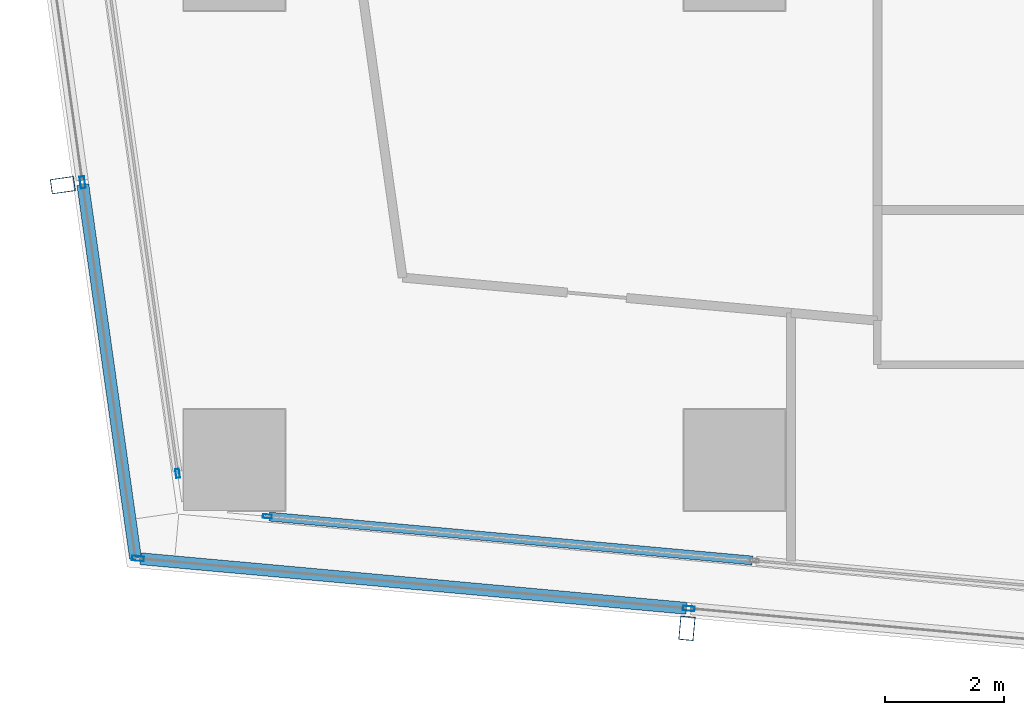
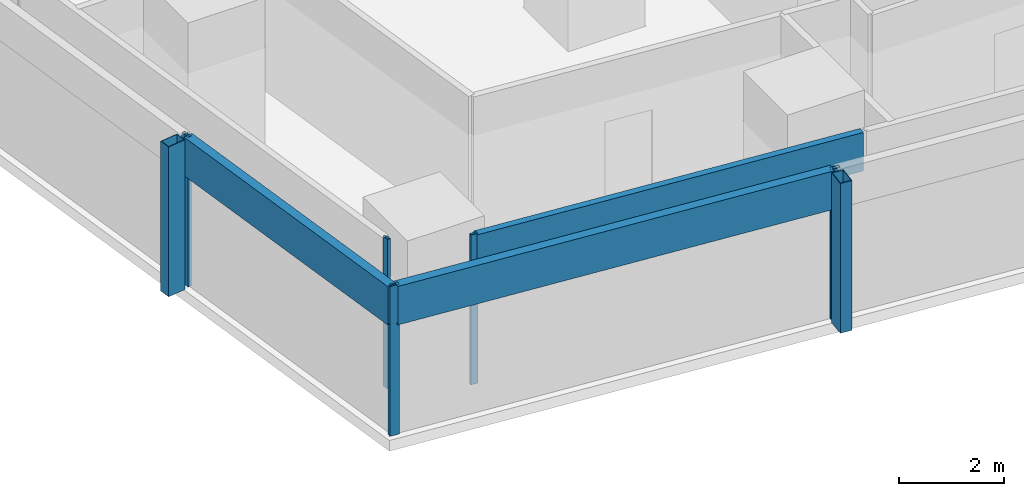
# One storey, part 2 of 40: 10 members, 4 elements without a shape of their own.
"""IFC4 building model written with IfcOpenShell, lengths in metres."""

from ifc_helpers import new_model, si_unit, direction, frame, origin, origin_2d, place, context, subcontext, project, spatial, hollow_rectangle, extrude, material, material_profile, profile_set, type_object, element, aggregate, save


model = new_model("IFC4")

# Units and contexts
model_context = context("Model", 3, precision=1e-05, world=origin(), true_north=direction((0.0, 1.0)))
body_context = subcontext(model_context, "Body", "Model", "MODEL_VIEW")
ifc_project = project(units=[si_unit("LENGTHUNIT", "METRE"), si_unit("AREAUNIT", "SQUARE_METRE"), si_unit("VOLUMEUNIT", "CUBIC_METRE"), si_unit("PLANEANGLEUNIT", "RADIAN"), si_unit("MASSUNIT", "GRAM", prefix="KILO")], contexts=[model_context])

# Site, building, storey
site_placement = place(None, origin())
site = spatial("IfcSite", under=ifc_project, at=site_placement, CompositionType="ELEMENT")
building_placement = place(site_placement, origin())
building = spatial("IfcBuilding", under=site, at=building_placement, Name="Rekha Terrace Tower", CompositionType="ELEMENT")
storey_placement = place(building_placement, frame((0.0, 0.0, 129.050048828125)))
storey = spatial("IfcBuildingStorey", under=building, at=storey_placement, Name="L32", CompositionType="ELEMENT", Elevation=129.050048828125)

# Curtain wall, member
ifc_material_1 = material(Name="Aluminium framing", Category="aluminium")
curtain_wall_type_1 = type_object("IfcCurtainWallType", Name="CW2 double skin outer glazing", PredefinedType="USERDEFINED", material=ifc_material_1)
curtain_wall_1_placement = place(storey_placement, origin())
curtain_wall_1 = element("IfcCurtainWall", 1, at=curtain_wall_1_placement, inside=storey, type_object=curtain_wall_type_1, Name="CW2 double skin outer glazing", ObjectType="DOUBLE SKIN OUTER GLAZING", PredefinedType="USERDEFINED")
ifc_material_2 = material(Name="Steel S355 with fluorocarbon finish", Category="steel")
ifc_material_profile_1 = material_profile(ifc_material_2, hollow_rectangle(XDim=0.25, YDim=0.39990234375, WallThickness=0.012451171875, at=origin_2d()), Name="RHS400x250x12.5")
ifc_profile_set_1 = profile_set([ifc_material_profile_1], Name="Steel S355 with fluorocarbon finish")
member_type_1 = type_object("IfcMemberType", Name="BL1 facade blade RHS 400 x 250", PredefinedType="USERDEFINED", material=ifc_profile_set_1)
member_1_placement = place(storey_placement, frame((16.002197265625, 13.970458984375, 0.0), z_axis=(0.0, 0.0, 1.0), x_axis=(0.995901938317, -0.090439644273, 0.0)))
member_1 = element("IfcMember", 2, at=member_1_placement, type_object=member_type_1, Name="Facade blade", ObjectType="FACADE BLADE", PredefinedType="USERDEFINED", context=body_context, shape_type="SweptSolid", body=[
    extrude(hollow_rectangle(XDim=0.25, YDim=0.39990234375, WallThickness=0.012451171875, at=origin_2d()), origin(), (0.0, 0.0, 1.0), 3.5),
])

curtain_wall_2_placement = place(storey_placement, origin())
curtain_wall_2 = element("IfcCurtainWall", 3, at=curtain_wall_2_placement, inside=storey, type_object=curtain_wall_type_1, Name="CW2 double skin outer glazing", ObjectType="DOUBLE SKIN OUTER GLAZING", PredefinedType="USERDEFINED")
member_2_placement = place(storey_placement, frame((5.51904296875, 21.41455078125, 0.0), z_axis=(0.0, 0.0, 1.0), x_axis=(0.139596532461, -0.990208467003, 0.0)))
member_2 = element("IfcMember", 4, at=member_2_placement, type_object=member_type_1, Name="Facade blade", ObjectType="FACADE BLADE", PredefinedType="USERDEFINED", context=body_context, shape_type="SweptSolid", body=[
    extrude(hollow_rectangle(XDim=0.25, YDim=0.39990234375, WallThickness=0.012451171875, at=origin_2d()), origin(), (0.0, 0.0, 1.0), 3.5),
])

curtain_wall_type_2 = type_object("IfcCurtainWallType", Name="CW1 double skin inner glazing", PredefinedType="USERDEFINED", material=ifc_material_1)
curtain_wall_3_placement = place(storey_placement, origin())
curtain_wall_3 = element("IfcCurtainWall", 5, at=curtain_wall_3_placement, inside=storey, type_object=curtain_wall_type_2, Name="CW1 double skin inner glazing", ObjectType="DOUBLE SKIN INNER GLAZING", PredefinedType="USERDEFINED")
ifc_material_3 = material(Name="Aluminium mullion section", Category="aluminium")
ifc_material_profile_2 = material_profile(ifc_material_3, hollow_rectangle(XDim=0.06494140625, YDim=0.14990234375, WallThickness=0.00390625, at=origin_2d()), Name="AL RHS 65x150")
ifc_profile_set_2 = profile_set([ifc_material_profile_2], Name="Aluminium mullion section")
member_type_2 = type_object("IfcMemberType", Name="CW1 mullion RHS 65 x 150", PredefinedType="MULLION", material=ifc_profile_set_2)
member_3_placement = place(storey_placement, frame((8.953369140625, 15.8505859375, 0.0), z_axis=(0.0, 0.0, 1.0), x_axis=(0.090439811381, 0.995901923142, 0.0)))
member_3 = element("IfcMember", 6, at=member_3_placement, type_object=member_type_2, Name="CW1 mullion 1", PredefinedType="MULLION", context=body_context, shape_type="SweptSolid", body=[
    extrude(hollow_rectangle(XDim=0.06494140625, YDim=0.14990234375, WallThickness=0.00390625, at=origin_2d()), origin(), (0.0, 0.0, 1.0), 3.5),
])

curtain_wall_4_placement = place(storey_placement, origin())
curtain_wall_4 = element("IfcCurtainWall", 7, at=curtain_wall_4_placement, inside=storey, type_object=curtain_wall_type_2, Name="CW1 double skin inner glazing", ObjectType="DOUBLE SKIN INNER GLAZING", PredefinedType="USERDEFINED")
member_4_placement = place(storey_placement, frame((7.448486328125, 16.573974609375, 0.0), z_axis=(0.0, 0.0, 1.0), x_axis=(0.990208394312, 0.139597048082, 0.0)))
member_4 = element("IfcMember", 8, at=member_4_placement, type_object=member_type_2, Name="CW1 mullion 2", PredefinedType="MULLION", context=body_context, shape_type="SweptSolid", body=[
    extrude(hollow_rectangle(XDim=0.06494140625, YDim=0.14990234375, WallThickness=0.00390625, at=origin_2d()), origin(), (0.0, 0.0, 1.0), 3.5),
])
aggregate(curtain_wall_4, [member_4])

# Member
ifc_material_4 = material(Name="Insulated aluminium spandrel box", Category="aluminium")
ifc_material_profile_3 = material_profile(ifc_material_4, hollow_rectangle(XDim=0.14990234375, YDim=0.89990234375, WallThickness=0.0029296875, at=origin_2d()), Name="AL SPANDREL BOX 150x900")
ifc_profile_set_3 = profile_set([ifc_material_profile_3], Name="Insulated aluminium spandrel box")
member_type_3 = type_object("IfcMemberType", Name="CW1 spandrel transom 150 x 900", PredefinedType="USERDEFINED", material=ifc_profile_set_3)
member_5_placement = place(storey_placement, frame((8.98583984375, 15.84765625, 3.050048828125), z_axis=(0.995901551249, -0.090443906483, 0.0), x_axis=(0.090443906483, 0.995901551249, 0.0)))
member_5 = element("IfcMember", 9, at=member_5_placement, type_object=member_type_3, Name="CW1 spandrel transom 1", ObjectType="TRANSOM", PredefinedType="USERDEFINED", context=body_context, shape_type="SweptSolid", body=[
    extrude(hollow_rectangle(XDim=0.14990234375, YDim=0.89990234375, WallThickness=0.0029296875, at=origin_2d()), origin(), (0.0, 0.0, 1.0), 8.1494140625),
])

aggregate(curtain_wall_3, [member_3, member_5])

ifc_material_profile_4 = material_profile(ifc_material_3, hollow_rectangle(XDim=0.080078125, YDim=0.199951171875, WallThickness=0.00390625, at=origin_2d()), Name="AL RHS 80x200")
ifc_profile_set_4 = profile_set([ifc_material_profile_4], Name="Aluminium mullion section")
member_type_4 = type_object("IfcMemberType", Name="CW2 mullion RHS 80 x 200", PredefinedType="MULLION", material=ifc_profile_set_4)
member_6_placement = place(storey_placement, frame((6.780517578125, 15.144287109375, 0.0), z_axis=(0.0, 0.0, 1.0), x_axis=(0.090439811433, 0.995901923137, 0.0)))
member_6 = element("IfcMember", 10, at=member_6_placement, type_object=member_type_4, Name="CW2 mullion 1", PredefinedType="MULLION", context=body_context, shape_type="SweptSolid", body=[
    extrude(hollow_rectangle(XDim=0.080078125, YDim=0.199951171875, WallThickness=0.00390625, at=origin_2d()), origin(), (0.0, 0.0, 1.0), 3.5),
])

member_7_placement = place(storey_placement, frame((16.032470703125, 14.30419921875, 0.0), z_axis=(0.0, 0.0, 1.0), x_axis=(0.090439811433, 0.995901923137, 0.0)))
member_7 = element("IfcMember", 11, at=member_7_placement, type_object=member_type_4, Name="CW2 mullion 2", PredefinedType="MULLION", context=body_context, shape_type="SweptSolid", body=[
    extrude(hollow_rectangle(XDim=0.080078125, YDim=0.199951171875, WallThickness=0.00390625, at=origin_2d()), origin(), (0.0, 0.0, 1.0), 3.5),
])

member_8_placement = place(storey_placement, frame((5.8505859375, 21.46142578125, 0.0), z_axis=(0.0, 0.0, 1.0), x_axis=(0.990208394312, 0.139597048082, 0.0)))
member_8 = element("IfcMember", 12, at=member_8_placement, type_object=member_type_4, Name="CW2 mullion 2", PredefinedType="MULLION", context=body_context, shape_type="SweptSolid", body=[
    extrude(hollow_rectangle(XDim=0.080078125, YDim=0.199951171875, WallThickness=0.00390625, at=origin_2d()), origin(), (0.0, 0.0, 1.0), 3.5),
])

ifc_material_profile_5 = material_profile(ifc_material_4, hollow_rectangle(XDim=0.199951171875, YDim=0.89990234375, WallThickness=0.0029296875, at=origin_2d()), Name="AL SPANDREL BOX 200x900")
ifc_profile_set_5 = profile_set([ifc_material_profile_5], Name="Insulated aluminium spandrel box")
member_type_5 = type_object("IfcMemberType", Name="CW2 spandrel transom 200 x 900", PredefinedType="USERDEFINED", material=ifc_profile_set_5)
member_9_placement = place(storey_placement, frame((6.8203125, 15.140625, 3.050048828125), z_axis=(0.995901458883, -0.090444923548, 0.0), x_axis=(0.090444923548, 0.995901458883, 0.0)))
member_9 = element("IfcMember", 13, at=member_9_placement, type_object=member_type_5, Name="CW2 spandrel transom 1", ObjectType="TRANSOM", PredefinedType="USERDEFINED", context=body_context, shape_type="SweptSolid", body=[
    extrude(hollow_rectangle(XDim=0.199951171875, YDim=0.89990234375, WallThickness=0.0029296875, at=origin_2d()), origin(), (0.0, 0.0, 1.0), 9.210205078125),
])

aggregate(curtain_wall_1, [member_6, member_7, member_9, member_1])

member_10_placement = place(storey_placement, frame((5.856201171875, 21.421875, 3.050048828125), z_axis=(0.139603155616, -0.990207533269, 0.0), x_axis=(0.990207533269, 0.139603155616, 0.0)))
member_10 = element("IfcMember", 14, at=member_10_placement, type_object=member_type_5, Name="CW2 spandrel transom 2", ObjectType="TRANSOM", PredefinedType="USERDEFINED", context=body_context, shape_type="SweptSolid", body=[
    extrude(hollow_rectangle(XDim=0.199951171875, YDim=0.89990234375, WallThickness=0.0029296875, at=origin_2d()), origin(), (0.0, 0.0, 1.0), 6.3359375),
])

aggregate(curtain_wall_2, [member_8, member_10, member_2])

save(model, "model.ifc")
